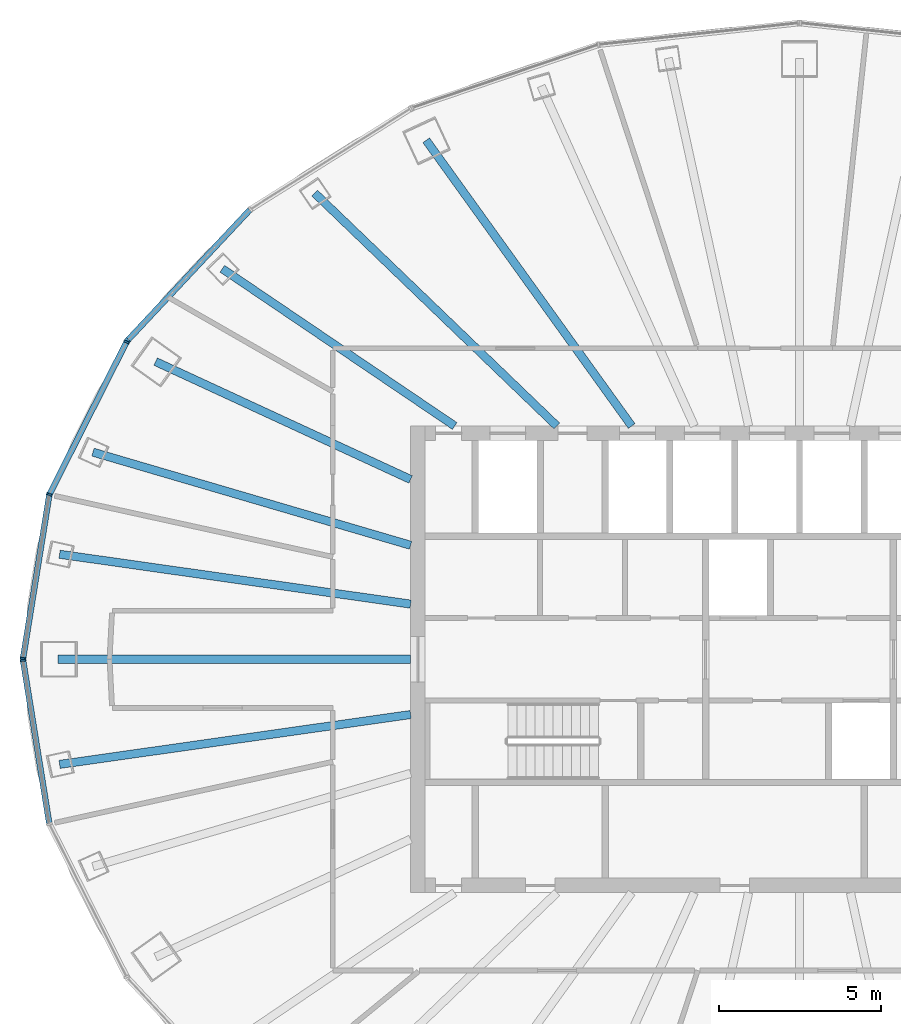
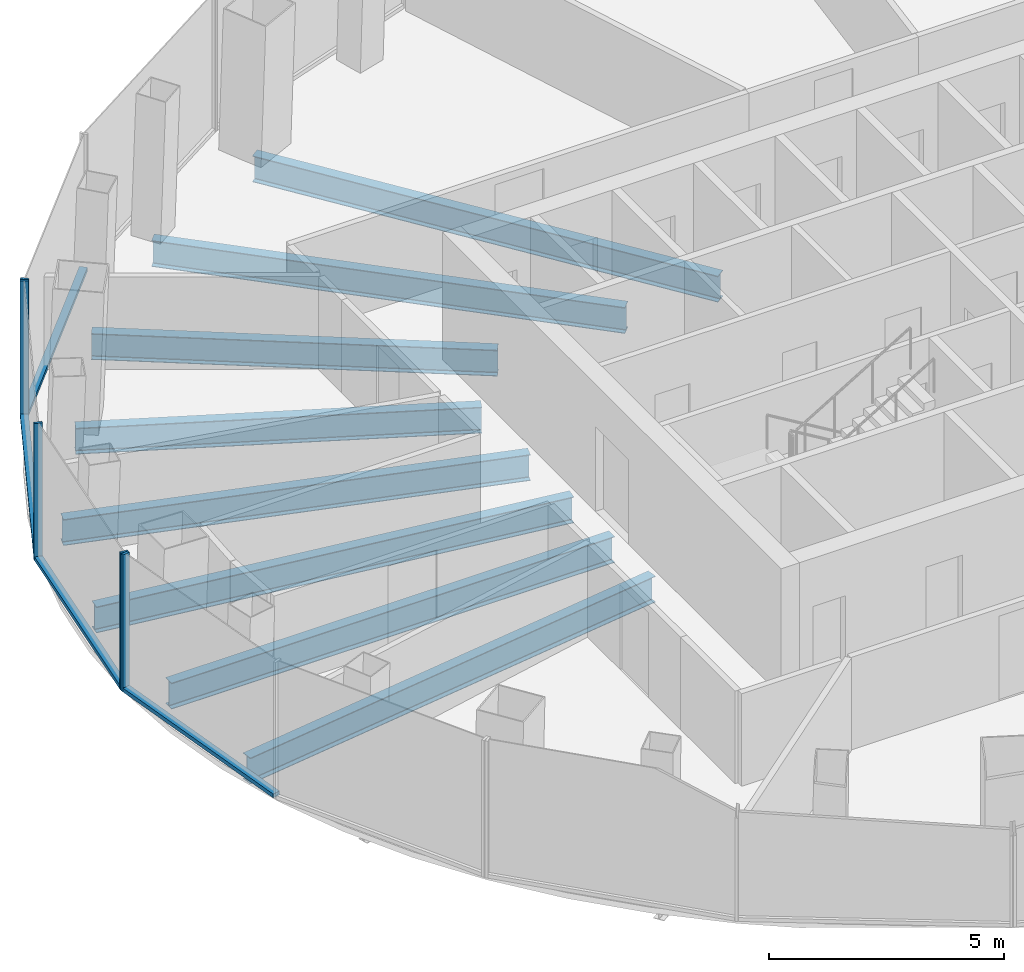
# One storey, part 3 of 10: 9 members, 8 beams, 3 elements without a shape of their own.
"""IFC4 building model written with IfcOpenShell, lengths in metres."""

from ifc_helpers import new_model, si_unit, direction, frame, origin, origin_2d, place, context, subcontext, project, spatial, rectangle, i_section, extrude, material, layer, layer_set, material_profile, profile_set, type_object, element, aggregate, save


model = new_model("IFC4")

# Units and contexts
model_context = context("Model", 3, precision=1e-05, world=origin(), true_north=direction((0.0, 1.0)))
body_context = subcontext(model_context, "Body", "Model", "MODEL_VIEW")
ifc_project = project(units=[si_unit("LENGTHUNIT", "METRE"), si_unit("AREAUNIT", "SQUARE_METRE"), si_unit("VOLUMEUNIT", "CUBIC_METRE"), si_unit("PLANEANGLEUNIT", "RADIAN"), si_unit("MASSUNIT", "GRAM", prefix="KILO")], contexts=[model_context])

# Site, building, storey
site_placement = place(None, origin())
site = spatial("IfcSite", under=ifc_project, at=site_placement, CompositionType="ELEMENT")
building_placement = place(site_placement, origin())
building = spatial("IfcBuilding", under=site, at=building_placement, Name="Siaravel Broadcast Tower", CompositionType="ELEMENT")
storey_placement = place(building_placement, frame((0.0, 0.0, 160.800048828125)))
storey = spatial("IfcBuildingStorey", under=building, at=storey_placement, Name="L38", CompositionType="ELEMENT", Elevation=160.800048828125)

# Beams
ifc_material_1 = material(Name="Steel S355", Category="steel")
ifc_material_profile_1 = material_profile(ifc_material_1, i_section(OverallWidth=0.2529296875, OverallDepth=0.677978515625, WebThickness=0.01171875, FlangeThickness=0.01611328125, FilletRadius=0.01513671875, at=origin_2d()))
ifc_profile_set_1 = profile_set([ifc_material_profile_1], Name="Steel S355")
beam_type = type_object("IfcBeamType", Name="BM-UB 686x254x125", PredefinedType="BEAM", material=ifc_profile_set_1)
beam_1_placement = place(storey_placement, frame((-11.518310546875, 16.01416015625, -0.489013671875), z_axis=(0.583902436, -0.811823839, 0.0), x_axis=(0.811823839, 0.583902436, 0.0)))
element("IfcBeam", 1, at=beam_1_placement, inside=storey, type_object=beam_type, Name="Radial beam RB13", PredefinedType="BEAM", context=body_context, shape_type="SweptSolid", body=[
    extrude(i_section(OverallWidth=0.2529296875, OverallDepth=0.677978515625, WebThickness=0.01171875, FlangeThickness=0.01611328125, FilletRadius=0.01513671875, at=origin_2d()), origin(), (0.0, 0.0, 1.0), 10.857177734375),
])
beam_2_placement = place(storey_placement, frame((-14.958984375, 14.385498046875, -0.489013671875), z_axis=(0.720795955, -0.693147309, 0.0), x_axis=(0.693147309, 0.720795955, 0.0)))
element("IfcBeam", 2, at=beam_2_placement, inside=storey, type_object=beam_type, Name="Radial beam RB14", PredefinedType="BEAM", context=body_context, shape_type="SweptSolid", body=[
    extrude(i_section(OverallWidth=0.2529296875, OverallDepth=0.677978515625, WebThickness=0.01171875, FlangeThickness=0.01611328125, FilletRadius=0.01513671875, at=origin_2d()), origin(), (0.0, 0.0, 1.0), 10.366455078125),
])
beam_3_placement = place(storey_placement, frame((-17.80859375, 12.0517578125, -0.489013671875), z_axis=(0.828172913, -0.560472682, 0.0), x_axis=(0.560472682, 0.828172913, 0.0)))
element("IfcBeam", 3, at=beam_3_placement, inside=storey, type_object=beam_type, Name="Radial beam RB15", PredefinedType="BEAM", context=body_context, shape_type="SweptSolid", body=[
    extrude(i_section(OverallWidth=0.2529296875, OverallDepth=0.677978515625, WebThickness=0.01171875, FlangeThickness=0.01611328125, FilletRadius=0.01513671875, at=origin_2d()), origin(), (0.0, 0.0, 1.0), 8.65673828125),
])
beam_4_placement = place(storey_placement, frame((-19.865478515625, 9.18603515625, -0.489013671875), z_axis=(0.907663131, -0.419699465, 0.0), x_axis=(0.419699465, 0.907663131, 0.0)))
element("IfcBeam", 4, at=beam_4_placement, inside=storey, type_object=beam_type, Name="Radial beam RB16", PredefinedType="BEAM", context=body_context, shape_type="SweptSolid", body=[
    extrude(i_section(OverallWidth=0.2529296875, OverallDepth=0.677978515625, WebThickness=0.01171875, FlangeThickness=0.01611328125, FilletRadius=0.01513671875, at=origin_2d()), origin(), (0.0, 0.0, 1.0), 8.66552734375),
])
beam_5_placement = place(storey_placement, frame((-21.7998046875, 6.392333984375, -0.489013671875), z_axis=(0.959597387, -0.281376713, 0.0), x_axis=(0.281376713, 0.959597387, 0.0)))
element("IfcBeam", 5, at=beam_5_placement, inside=storey, type_object=beam_type, Name="Radial beam RB17", PredefinedType="BEAM", context=body_context, shape_type="SweptSolid", body=[
    extrude(i_section(OverallWidth=0.2529296875, OverallDepth=0.677978515625, WebThickness=0.01171875, FlangeThickness=0.01611328125, FilletRadius=0.01513671875, at=origin_2d()), origin(), (0.0, 0.0, 1.0), 10.21240234375),
])
beam_6_placement = place(storey_placement, frame((-22.83056640625, 3.2421875, -0.489013671875), z_axis=(0.990066101, -0.140602688, 0.0), x_axis=(0.140602688, 0.990066101, 0.0)))
element("IfcBeam", 6, at=beam_6_placement, inside=storey, type_object=beam_type, Name="Radial beam RB18", PredefinedType="BEAM", context=body_context, shape_type="SweptSolid", body=[
    extrude(i_section(OverallWidth=0.2529296875, OverallDepth=0.677978515625, WebThickness=0.01171875, FlangeThickness=0.01611328125, FilletRadius=0.01513671875, at=origin_2d()), origin(), (0.0, 0.0, 1.0), 10.939208984375),
])
beam_7_placement = place(storey_placement, frame((-22.876953125, 0.0, -0.489013671875), z_axis=(1.0, 0.0, 0.0), x_axis=(0.0, 1.0, 0.0)))
element("IfcBeam", 7, at=beam_7_placement, inside=storey, type_object=beam_type, Name="Radial beam RB19", PredefinedType="BEAM", context=body_context, shape_type="SweptSolid", body=[
    extrude(i_section(OverallWidth=0.2529296875, OverallDepth=0.677978515625, WebThickness=0.01171875, FlangeThickness=0.01611328125, FilletRadius=0.01513671875, at=origin_2d()), origin(), (0.0, 0.0, 1.0), 10.876953125),
])
beam_8_placement = place(storey_placement, frame((-22.83056640625, -3.2421875, -0.489013671875), z_axis=(0.990066101, 0.140602688, 0.0), x_axis=(-0.140602688, 0.990066101, 0.0)))
element("IfcBeam", 8, at=beam_8_placement, inside=storey, type_object=beam_type, Name="Radial beam RB20", PredefinedType="BEAM", context=body_context, shape_type="SweptSolid", body=[
    extrude(i_section(OverallWidth=0.2529296875, OverallDepth=0.677978515625, WebThickness=0.01171875, FlangeThickness=0.01611328125, FilletRadius=0.01513671875, at=origin_2d()), origin(), (0.0, 0.0, 1.0), 10.939208984375),
])

# Curtain wall, member
ifc_material_2 = material(Name="Aluminium 6063-T6", Category="aluminium")
ifc_layer = layer(ifc_material_2, 0.179931640625)
ifc_layer_set = layer_set([ifc_layer], Name="Aluminium 6063-T6")
curtain_wall_type = type_object("IfcCurtainWallType", Name="Unitised curtain wall, zone 3", PredefinedType="NOTDEFINED", material=ifc_layer_set)
curtain_wall_1_placement = place(storey_placement, origin())
curtain_wall_1 = element("IfcCurtainWall", 9, at=curtain_wall_1_placement, inside=storey, type_object=curtain_wall_type, Name="L38 Unitised curtain wall, zone 3 05", PredefinedType="NOTDEFINED")
ifc_material_profile_2 = material_profile(ifc_material_2, rectangle(XDim=0.179931640625, YDim=0.06005859375, at=origin_2d()))
ifc_profile_set_2 = profile_set([ifc_material_profile_2], Name="Aluminium 6063-T6")
member_type_1 = type_object("IfcMemberType", Name="CW-Z3 mullion", PredefinedType="MULLION", material=ifc_profile_set_2)
member_1_placement = place(storey_placement, frame((-20.7294921875, 9.844482421875, 0.0), z_axis=(0.0, 0.0, 1.0), x_axis=(0.729806172, -0.683654117, 0.0)))
member_1 = element("IfcMember", 10, at=member_1_placement, type_object=member_type_1, Name="CW-Z3 mullion 3", PredefinedType="MULLION", context=body_context, shape_type="SweptSolid", body=[
    extrude(rectangle(XDim=0.179931640625, YDim=0.06005859375, at=origin_2d()), origin(), (0.0, 0.0, 1.0), 3.550048828125),
])

# Curtain wall, members
curtain_wall_2_placement = place(storey_placement, origin())
curtain_wall_2 = element("IfcCurtainWall", 11, at=curtain_wall_2_placement, inside=storey, type_object=curtain_wall_type, Name="L38 Unitised curtain wall, zone 3 06", PredefinedType="NOTDEFINED")
member_2_placement = place(storey_placement, frame((-20.763427734375, 9.795654296875, 0.0), z_axis=(0.0, 0.0, 1.0), x_axis=(0.89239259, -0.451259864, 0.0)))
member_2 = element("IfcMember", 12, at=member_2_placement, type_object=member_type_1, Name="CW-Z3 mullion 1", PredefinedType="MULLION", context=body_context, shape_type="SweptSolid", body=[
    extrude(rectangle(XDim=0.179931640625, YDim=0.06005859375, at=origin_2d()), origin(), (0.0, 0.0, 1.0), 3.550048828125),
])
member_3_placement = place(storey_placement, frame((-23.1455078125, 5.085205078125, 0.0), z_axis=(0.0, 0.0, 1.0), x_axis=(0.951177457, -0.30864453, 0.0)))
member_3 = element("IfcMember", 13, at=member_3_placement, type_object=member_type_1, Name="CW-Z3 mullion 2", PredefinedType="MULLION", context=body_context, shape_type="SweptSolid", body=[
    extrude(rectangle(XDim=0.179931640625, YDim=0.06005859375, at=origin_2d()), origin(), (0.0, 0.0, 1.0), 3.550048828125),
])
member_4_placement = place(storey_placement, frame((-23.9580078125, 0.029541015625, 0.0), z_axis=(0.0, 0.0, 1.0), x_axis=(0.987329251, -0.158685063, 0.0)))
member_4 = element("IfcMember", 14, at=member_4_placement, type_object=member_type_1, Name="CW-Z3 mullion 3", PredefinedType="MULLION", context=body_context, shape_type="SweptSolid", body=[
    extrude(rectangle(XDim=0.179931640625, YDim=0.06005859375, at=origin_2d()), origin(), (0.0, 0.0, 1.0), 3.550048828125),
])

# Curtain wall, member
curtain_wall_3_placement = place(storey_placement, origin())
curtain_wall_3 = element("IfcCurtainWall", 15, at=curtain_wall_3_placement, inside=storey, type_object=curtain_wall_type, Name="L38 Unitised curtain wall, zone 3 07", PredefinedType="NOTDEFINED")
member_5_placement = place(storey_placement, frame((-23.9580078125, -0.029541015625, 0.0), z_axis=(0.0, 0.0, 1.0), x_axis=(0.987329251, 0.158685063, 0.0)))
member_5 = element("IfcMember", 16, at=member_5_placement, type_object=member_type_1, Name="CW-Z3 mullion 1", PredefinedType="MULLION", context=body_context, shape_type="SweptSolid", body=[
    extrude(rectangle(XDim=0.179931640625, YDim=0.06005859375, at=origin_2d()), origin(), (0.0, 0.0, 1.0), 3.550048828125),
])

# Member
ifc_material_profile_3 = material_profile(ifc_material_2, rectangle(XDim=0.179931640625, YDim=0.10009765625, at=origin_2d()))
ifc_profile_set_3 = profile_set([ifc_material_profile_3], Name="Aluminium 6063-T6")
member_type_2 = type_object("IfcMemberType", Name="CW-Z3 transom", PredefinedType="USERDEFINED", material=ifc_profile_set_3)
member_6_placement = place(storey_placement, frame((-16.961181640625, 13.8671875, 0.050048828125), z_axis=(-0.68363887, -0.729820454, 0.0), x_axis=(0.729820454, -0.68363887, 0.0)))
member_6 = element("IfcMember", 17, at=member_6_placement, type_object=member_type_2, Name="CW-Z3 transom 2", ObjectType="TRANSOM", PredefinedType="USERDEFINED", context=body_context, shape_type="SweptSolid", body=[
    extrude(rectangle(XDim=0.179931640625, YDim=0.10009765625, at=origin_2d()), origin(), (0.0, 0.0, 1.0), 5.482177734375),
])

aggregate(curtain_wall_1, [member_1, member_6])

member_7_placement = place(storey_placement, frame((-20.777099609375, 9.768798828125, 0.050048828125), z_axis=(-0.451269759, -0.892387586, 0.0), x_axis=(0.892387586, -0.451269759, 0.0)))
member_7 = element("IfcMember", 18, at=member_7_placement, type_object=member_type_2, Name="CW-Z3 transom 1", ObjectType="TRANSOM", PredefinedType="USERDEFINED", context=body_context, shape_type="SweptSolid", body=[
    extrude(rectangle(XDim=0.179931640625, YDim=0.10009765625, at=origin_2d()), origin(), (0.0, 0.0, 1.0), 5.218505859375),
])

member_8_placement = place(storey_placement, frame((-23.150390625, 5.055419921875, 0.050048828125), z_axis=(-0.158677256, -0.987330506, 0.0), x_axis=(0.987330506, -0.158677256, 0.0)))
member_8 = element("IfcMember", 19, at=member_8_placement, type_object=member_type_2, Name="CW-Z3 transom 2", ObjectType="TRANSOM", PredefinedType="USERDEFINED", context=body_context, shape_type="SweptSolid", body=[
    extrude(rectangle(XDim=0.179931640625, YDim=0.10009765625, at=origin_2d()), origin(), (0.0, 0.0, 1.0), 5.060546875),
])

aggregate(curtain_wall_2, [member_2, member_3, member_4, member_7, member_8])

member_9_placement = place(storey_placement, frame((-23.953369140625, -0.05908203125, 0.050048828125), z_axis=(0.158677256, -0.987330506, 0.0), x_axis=(0.987330506, 0.158677256, 0.0)))
member_9 = element("IfcMember", 20, at=member_9_placement, type_object=member_type_2, Name="CW-Z3 transom 1", ObjectType="TRANSOM", PredefinedType="USERDEFINED", context=body_context, shape_type="SweptSolid", body=[
    extrude(rectangle(XDim=0.179931640625, YDim=0.10009765625, at=origin_2d()), origin(), (0.0, 0.0, 1.0), 5.060546875),
])

aggregate(curtain_wall_3, [member_5, member_9])

save(model, "model.ifc")
